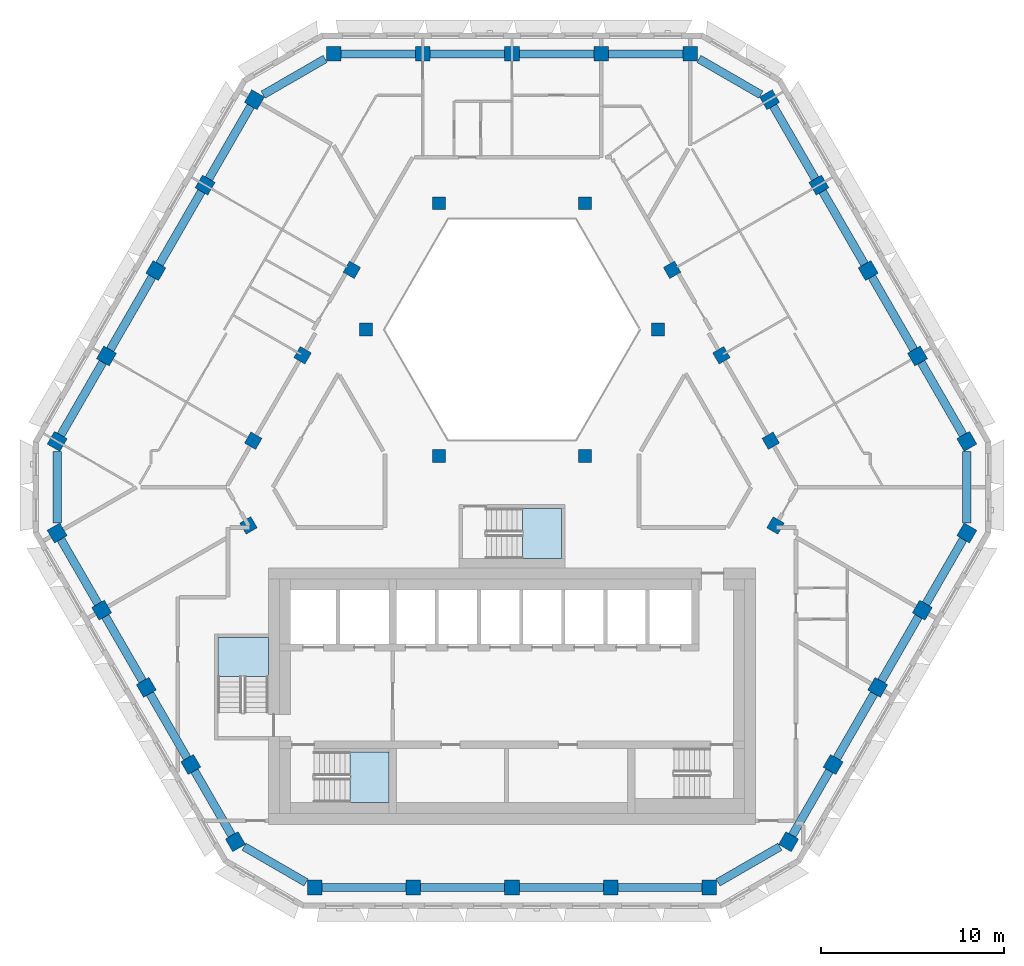
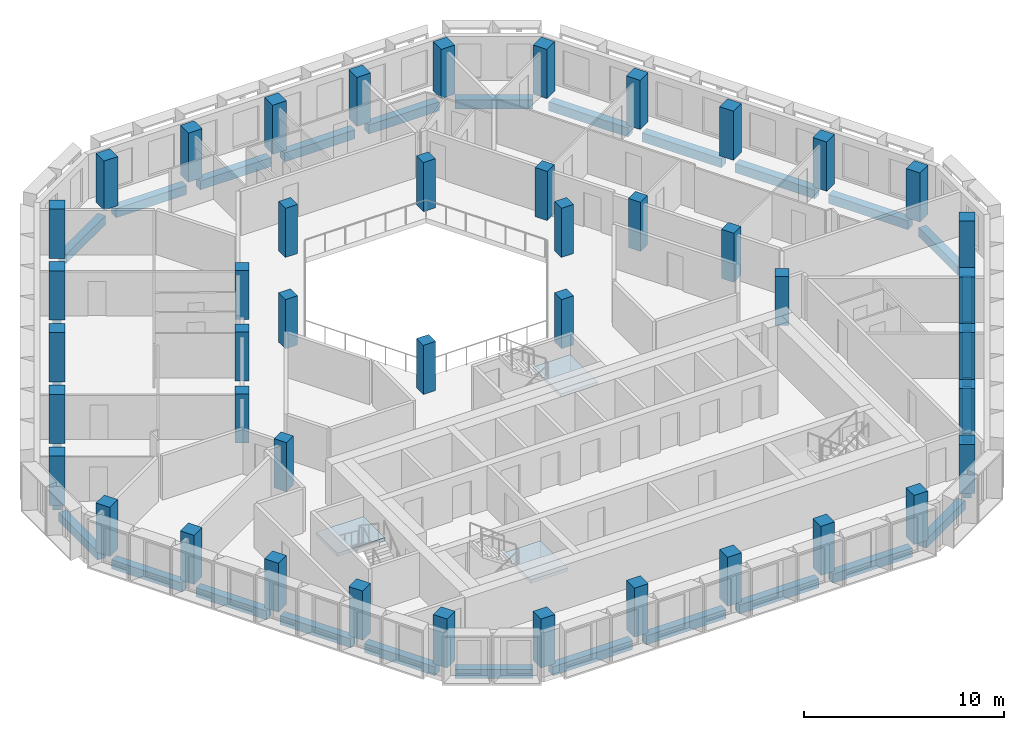
# One storey, part 1 of 17: 44 columns, 30 beams, 3 slabs, 3 elements without a shape of their own.
"""IFC4 building model written with IfcOpenShell, lengths in metres."""

from ifc_helpers import new_model, si_unit, direction, frame, origin, origin_2d, place, context, subcontext, project, spatial, polyline, rectangle, outline, extrude, material, layer, layer_set, material_profile, profile_set, type_object, element, aggregate, save


model = new_model("IFC4")

# Units and contexts
model_context = context("Model", 3, precision=1e-05, world=origin(), true_north=direction((0.0, 1.0)))
body_context = subcontext(model_context, "Body", "Model", "MODEL_VIEW")
ifc_project = project(units=[si_unit("LENGTHUNIT", "METRE"), si_unit("AREAUNIT", "SQUARE_METRE"), si_unit("VOLUMEUNIT", "CUBIC_METRE"), si_unit("PLANEANGLEUNIT", "RADIAN"), si_unit("MASSUNIT", "GRAM", prefix="KILO")], contexts=[model_context])

# Site, building, storey
site_placement = place(None, origin())
site = spatial("IfcSite", under=ifc_project, at=site_placement, CompositionType="ELEMENT")
building_placement = place(site_placement, origin())
building = spatial("IfcBuilding", under=site, at=building_placement, Name="Beryl Residences", CompositionType="ELEMENT")
storey_placement = place(building_placement, frame((0.0, 0.0, 178.199951171875)))
storey = spatial("IfcBuildingStorey", under=building, at=storey_placement, Name="L54", CompositionType="ELEMENT", Elevation=178.199951171875)

# Columns
ifc_material_1 = material(Name="Concrete C50/60", Category="concrete")
ifc_material_profile_1 = material_profile(ifc_material_1, rectangle(XDim=0.800048828125, YDim=0.800048828125, at=origin_2d()))
ifc_profile_set_1 = profile_set([ifc_material_profile_1], Name="Concrete C50/60")
column_type_1 = type_object("IfcColumnType", Name="C4 tube column 800 x 800 C50/60", PredefinedType="COLUMN", material=ifc_profile_set_1)
for number, where, z_axis, x_axis, name in (
    (1, (9.72802734375, 23.050048828125, 0.0), (0.0, 0.0, 1.0), (-1.0, 0.0, 0.0), "C4-N1 L54"),
    (2, (4.864013671875, 23.050048828125, 0.0), (0.0, 0.0, 1.0), (-1.0, 0.0, 0.0), "C4-N2 L54"),
    (3, (0.0, 23.050048828125, 0.0), (0.0, 0.0, 1.0), (-1.0, 0.0, 0.0), "C4-N3 L54"),
    (4, (-4.864013671875, 23.050048828125, 0.0), (0.0, 0.0, 1.0), (-1.0, 0.0, 0.0), "C4-N4 L54"),
    (5, (-9.72802734375, 23.050048828125, 0.0), (0.0, 0.0, 1.0), (-1.0, 0.0, 0.0), "C4-N5 L54"),
    (6, (-14.05810546875, 20.550048828125, 0.0), (0.0, 0.0, 1.0), (-0.5, -0.866025403784, 0.0), "C4-NW1 L54"),
    (7, (-16.75, 15.887939453125, 0.0), (0.0, 0.0, 1.0), (-0.5, -0.866025403784, 0.0), "C4-NW2 L54"),
    (8, (-19.44189453125, 11.22509765625, 0.0), (0.0, 0.0, 1.0), (-0.5, -0.866025403784, 0.0), "C4-NW3 L54"),
    (9, (-22.134033203125, 6.56201171875, 0.0), (0.0, 0.0, 1.0), (-0.5, -0.866025403784, 0.0), "C4-NW4 L54"),
    (10, (-24.825927734375, 1.89990234375, 0.0), (0.0, 0.0, 1.0), (-0.5, -0.866025403784, 0.0), "C4-NW5 L54"),
    (11, (-24.825927734375, -3.09912109375, 0.0), (0.0, 0.0, 1.0), (0.5, -0.866025403784, 0.0), "C4-SW1 L54"),
    (12, (-22.39404296875, -7.31201171875, 0.0), (0.0, 0.0, 1.0), (0.5, -0.866025403784, 0.0), "C4-SW2 L54"),
    (13, (-19.9619140625, -11.52392578125, 0.0), (0.0, 0.0, 1.0), (0.5, -0.866025403784, 0.0), "C4-SW3 L54"),
    (14, (-17.530029296875, -15.736083984375, 0.0), (0.0, 0.0, 1.0), (0.5, -0.866025403784, 0.0), "C4-SW4 L54"),
    (15, (-15.097900390625, -19.948974609375, 0.0), (0.0, 0.0, 1.0), (0.5, -0.866025403784, 0.0), "C4-SW5 L54"),
    (16, (-10.76708984375, -22.449951171875, 0.0), (0.0, 0.0, 1.0), (1.0, 0.0, 0.0), "C4-S1 L54"),
    (17, (-5.383056640625, -22.449951171875, 0.0), (0.0, 0.0, 1.0), (1.0, 0.0, 0.0), "C4-S2 L54"),
    (18, (0.0009765625, -22.449951171875, 0.0), (0.0, 0.0, 1.0), (1.0, 0.0, 0.0), "C4-S3 L54"),
    (19, (5.385009765625, -22.449951171875, 0.0), (0.0, 0.0, 1.0), (1.0, 0.0, 0.0), "C4-S4 L54"),
    (20, (10.76904296875, -22.449951171875, 0.0), (0.0, 0.0, 1.0), (1.0, 0.0, 0.0), "C4-S5 L54"),
    (21, (15.096923828125, -19.950927734375, 0.0), (0.0, 0.0, 1.0), (0.5, 0.866025403784, 0.0), "C4-SE1 L54"),
    (22, (17.529052734375, -15.738037109375, 0.0), (0.0, 0.0, 1.0), (0.5, 0.866025403784, 0.0), "C4-SE2 L54"),
    (23, (19.9609375, -11.52587890625, 0.0), (0.0, 0.0, 1.0), (0.5, 0.866025403784, 0.0), "C4-SE3 L54"),
    (24, (22.39306640625, -7.31396484375, 0.0), (0.0, 0.0, 1.0), (0.5, 0.866025403784, 0.0), "C4-SE4 L54"),
    (25, (24.824951171875, -3.10107421875, 0.0), (0.0, 0.0, 1.0), (0.5, 0.866025403784, 0.0), "C4-SE5 L54"),
    (26, (24.825927734375, 1.89990234375, 0.0), (0.0, 0.0, 1.0), (-0.5, 0.866025403784, 0.0), "C4-NE1 L54"),
    (27, (22.134033203125, 6.56201171875, 0.0), (0.0, 0.0, 1.0), (-0.5, 0.866025403784, 0.0), "C4-NE2 L54"),
    (28, (19.44189453125, 11.22509765625, 0.0), (0.0, 0.0, 1.0), (-0.5, 0.866025403784, 0.0), "C4-NE3 L54"),
    (29, (16.75, 15.887939453125, 0.0), (0.0, 0.0, 1.0), (-0.5, 0.866025403784, 0.0), "C4-NE4 L54"),
    (30, (14.05810546875, 20.550048828125, 0.0), (0.0, 0.0, 1.0), (-0.5, 0.866025403784, 0.0), "C4-NE5 L54"),
):
    element("IfcColumn", number, at=place(storey_placement, frame(where, z_axis=z_axis, x_axis=x_axis)), inside=storey, type_object=column_type_1, Name=name, PredefinedType="COLUMN", context=body_context, shape_type="SweptSolid", body=[
        extrude(rectangle(XDim=0.800048828125, YDim=0.800048828125, at=origin_2d()), origin(), (0.0, 0.0, 1.0), 3.0),
    ])
ifc_material_2 = material(Name="Concrete C50/60", Category="concrete")
ifc_material_profile_2 = material_profile(ifc_material_2, rectangle(XDim=0.699951171875, YDim=0.699951171875, at=origin_2d()))
ifc_profile_set_2 = profile_set([ifc_material_profile_2], Name="Concrete C50/60")
column_type_2 = type_object("IfcColumnType", Name="IC4 interior column 700 x 700 C50/60", PredefinedType="COLUMN", material=ifc_profile_set_2)
for number, where, z_axis, x_axis, name in (
    (31, (-14.383056640625, -2.68701171875, 0.0), (0.0, 0.0, 1.0), (0.5, -0.866025403784, 0.0), "IC4-M01 L54"),
    (32, (14.382080078125, -2.68896484375, 0.0), (0.0, 0.0, 1.0), (0.5, 0.866025403784, 0.0), "IC4-M02 L54"),
    (33, (14.123046875, 1.93701171875, 0.0), (0.0, 0.0, 1.0), (-0.5, 0.866025403784, 0.0), "IC4-M03 L54"),
    (34, (3.98388671875, 1.10009765625, 0.0), (0.0, 0.0, 1.0), (1.0, 0.0, 0.0), "IC4-A04 L54"),
    (35, (11.430908203125, 6.60009765625, 0.0), (0.0, 0.0, 1.0), (-0.5, 0.866025403784, 0.0), "IC4-M05 L54"),
    (36, (7.967041015625, 8.0, 0.0), (0.0, 0.0, 1.0), (1.0, 0.0, 0.0), "IC4-A06 L54"),
    (37, (8.739013671875, 11.262939453125, 0.0), (0.0, 0.0, 1.0), (-0.5, 0.866025403784, 0.0), "IC4-M07 L54"),
    (38, (3.98388671875, 14.89990234375, 0.0), (0.0, 0.0, 1.0), (1.0, 0.0, 0.0), "IC4-A08 L54"),
    (39, (-3.98388671875, 14.89990234375, 0.0), (0.0, 0.0, 1.0), (1.0, 0.0, 0.0), "IC4-A09 L54"),
    (40, (-8.739013671875, 11.262939453125, 0.0), (0.0, 0.0, 1.0), (-0.5, -0.866025403784, 0.0), "IC4-M10 L54"),
    (41, (-7.967041015625, 8.0, 0.0), (0.0, 0.0, 1.0), (1.0, 0.0, 0.0), "IC4-A11 L54"),
    (42, (-11.430908203125, 6.60009765625, 0.0), (0.0, 0.0, 1.0), (-0.5, -0.866025403784, 0.0), "IC4-M12 L54"),
    (43, (-3.98388671875, 1.10009765625, 0.0), (0.0, 0.0, 1.0), (1.0, 0.0, 0.0), "IC4-A13 L54"),
    (44, (-14.123046875, 1.93701171875, 0.0), (0.0, 0.0, 1.0), (-0.5, -0.866025403784, 0.0), "IC4-M14 L54"),
):
    element("IfcColumn", number, at=place(storey_placement, frame(where, z_axis=z_axis, x_axis=x_axis)), inside=storey, type_object=column_type_2, Name=name, PredefinedType="COLUMN", context=body_context, shape_type="SweptSolid", body=[
        extrude(rectangle(XDim=0.699951171875, YDim=0.699951171875, at=origin_2d()), origin(), (0.0, 0.0, 1.0), 3.0),
    ])

# Beams
ifc_material_3 = material(Name="Concrete C50/60", Category="concrete")
ifc_material_profile_3 = material_profile(ifc_material_3, rectangle(XDim=0.449951171875, YDim=0.550048828125, at=origin_2d()))
ifc_profile_set_3 = profile_set([ifc_material_profile_3], Name="Concrete C50/60")
beam_type = type_object("IfcBeamType", Name="SB4 spandrel beam 450 x 550 C50/60", PredefinedType="SPANDREL", material=ifc_profile_set_3)
beam_1_placement = place(storey_placement, frame((9.327880859375, 23.050048828125, -0.574951171875), z_axis=(-1.0, 0.0, 0.0), x_axis=(0.0, -1.0, 0.0)))
element("IfcBeam", 45, at=beam_1_placement, inside=storey, type_object=beam_type, Name="SB4 L54 N-0", PredefinedType="SPANDREL", context=body_context, shape_type="SweptSolid", body=[
    extrude(rectangle(XDim=0.449951171875, YDim=0.550048828125, at=origin_2d()), origin(), (0.0, 0.0, 1.0), 4.06396484375),
])
for number, where, z_axis, x_axis, name in (
    (46, (4.464111328125, 23.050048828125, -0.574951171875), (-1.0, 0.0, 0.0), (0.0, -1.0, 0.0), "SB4 L54 N-1"),
    (47, (-0.39990234375, 23.050048828125, -0.574951171875), (-1.0, 0.0, 0.0), (0.0, -1.0, 0.0), "SB4 L54 N-2"),
):
    element("IfcBeam", number, at=place(storey_placement, frame(where, z_axis=z_axis, x_axis=x_axis)), inside=storey, type_object=beam_type, Name=name, PredefinedType="SPANDREL", context=body_context, shape_type="SweptSolid", body=[
        extrude(rectangle(XDim=0.449951171875, YDim=0.550048828125, at=origin_2d()), origin(), (0.0, 0.0, 1.0), 4.064208984375),
    ])
beam_2_placement = place(storey_placement, frame((-5.263916015625, 23.050048828125, -0.574951171875), z_axis=(-1.0, 0.0, 0.0), x_axis=(0.0, -1.0, 0.0)))
element("IfcBeam", 48, at=beam_2_placement, inside=storey, type_object=beam_type, Name="SB4 L54 N-3", PredefinedType="SPANDREL", context=body_context, shape_type="SweptSolid", body=[
    extrude(rectangle(XDim=0.449951171875, YDim=0.550048828125, at=origin_2d()), origin(), (0.0, 0.0, 1.0), 4.06396484375),
])
beam_3_placement = place(storey_placement, frame((-10.200927734375, 22.777099609375, -0.574951171875), z_axis=(-0.865988935984, -0.500063158763, 0.0), x_axis=(0.500063158763, -0.865988935984, 0.0)))
element("IfcBeam", 49, at=beam_3_placement, inside=storey, type_object=beam_type, Name="SB4 L54 N-4", PredefinedType="SPANDREL", context=body_context, shape_type="SweptSolid", body=[
    extrude(rectangle(XDim=0.449951171875, YDim=0.550048828125, at=origin_2d()), origin(), (0.0, 0.0, 1.0), 3.90771484375),
])
beam_4_placement = place(storey_placement, frame((-14.258056640625, 20.2041015625, -0.574951171875), z_axis=(-0.499965247104, -0.866045467449, 0.0), x_axis=(0.866045467449, -0.499965247104, 0.0)))
element("IfcBeam", 50, at=beam_4_placement, inside=storey, type_object=beam_type, Name="SB4 L54 NW-0", PredefinedType="SPANDREL", context=body_context, shape_type="SweptSolid", body=[
    extrude(rectangle(XDim=0.449951171875, YDim=0.550048828125, at=origin_2d()), origin(), (0.0, 0.0, 1.0), 4.584228515625),
])
for number, where, z_axis, x_axis, name in (
    (51, (-16.949951171875, 15.5419921875, -0.574951171875), (-0.499896077001, -0.866085395443, 0.0), (0.866085395443, -0.499896077001, 0.0), "SB4 L54 NW-1"),
    (52, (-19.64208984375, 10.87890625, -0.574951171875), (-0.499896077001, -0.866085395443, 0.0), (0.866085395443, -0.499896077001, 0.0), "SB4 L54 NW-2"),
):
    element("IfcBeam", number, at=place(storey_placement, frame(where, z_axis=z_axis, x_axis=x_axis)), inside=storey, type_object=beam_type, Name=name, PredefinedType="SPANDREL", context=body_context, shape_type="SweptSolid", body=[
        extrude(rectangle(XDim=0.449951171875, YDim=0.550048828125, at=origin_2d()), origin(), (0.0, 0.0, 1.0), 4.5849609375),
    ])
beam_5_placement = place(storey_placement, frame((-22.333984375, 6.216064453125, -0.574951171875), z_axis=(-0.49998830735, -0.866032154434, 0.0), x_axis=(0.866032154434, -0.49998830735, 0.0)))
element("IfcBeam", 53, at=beam_5_placement, inside=storey, type_object=beam_type, Name="SB4 L54 NW-3", PredefinedType="SPANDREL", context=body_context, shape_type="SweptSolid", body=[
    extrude(rectangle(XDim=0.449951171875, YDim=0.550048828125, at=origin_2d()), origin(), (0.0, 0.0, 1.0), 4.583984375),
])
beam_6_placement = place(storey_placement, frame((-24.825927734375, 1.35400390625, -0.574951171875), z_axis=(0.0, -1.0, 0.0), x_axis=(1.0, 0.0, 0.0)))
element("IfcBeam", 54, at=beam_6_placement, inside=storey, type_object=beam_type, Name="SB4 L54 NW-4", PredefinedType="SPANDREL", context=body_context, shape_type="SweptSolid", body=[
    extrude(rectangle(XDim=0.449951171875, YDim=0.550048828125, at=origin_2d()), origin(), (0.0, 0.0, 1.0), 3.906982421875),
])
beam_7_placement = place(storey_placement, frame((-24.6259765625, -3.445068359375, -0.574951171875), z_axis=(0.499840293234, -0.866117590896, 0.0), x_axis=(0.866117590896, 0.499840293234, 0.0)))
element("IfcBeam", 55, at=beam_7_placement, inside=storey, type_object=beam_type, Name="SB4 L54 SW-0", PredefinedType="SPANDREL", context=body_context, shape_type="SweptSolid", body=[
    extrude(rectangle(XDim=0.449951171875, YDim=0.550048828125, at=origin_2d()), origin(), (0.0, 0.0, 1.0), 4.065185546875),
])
beam_8_placement = place(storey_placement, frame((-22.194091796875, -7.657958984375, -0.574951171875), z_axis=(0.499944307952, -0.866057555216, 0.0), x_axis=(0.866057555216, 0.499944307952, 0.0)))
element("IfcBeam", 56, at=beam_8_placement, inside=storey, type_object=beam_type, Name="SB4 L54 SW-1", PredefinedType="SPANDREL", context=body_context, shape_type="SweptSolid", body=[
    extrude(rectangle(XDim=0.449951171875, YDim=0.550048828125, at=origin_2d()), origin(), (0.0, 0.0, 1.0), 4.064453125),
])
beam_9_placement = place(storey_placement, frame((-19.761962890625, -11.8701171875, -0.574951171875), z_axis=(0.499970317269, -0.866042540439, 0.0), x_axis=(0.866042540439, 0.499970317269, 0.0)))
element("IfcBeam", 57, at=beam_9_placement, inside=storey, type_object=beam_type, Name="SB4 L54 SW-2", PredefinedType="SPANDREL", context=body_context, shape_type="SweptSolid", body=[
    extrude(rectangle(XDim=0.449951171875, YDim=0.550048828125, at=origin_2d()), origin(), (0.0, 0.0, 1.0), 4.064208984375),
])
beam_10_placement = place(storey_placement, frame((-17.330078125, -16.08203125, -0.574951171875), z_axis=(0.499840293234, -0.866117590896, 0.0), x_axis=(0.866117590896, 0.499840293234, 0.0)))
element("IfcBeam", 58, at=beam_10_placement, inside=storey, type_object=beam_type, Name="SB4 L54 SW-3", PredefinedType="SPANDREL", context=body_context, shape_type="SweptSolid", body=[
    extrude(rectangle(XDim=0.449951171875, YDim=0.550048828125, at=origin_2d()), origin(), (0.0, 0.0, 1.0), 4.065185546875),
])
beam_11_placement = place(storey_placement, frame((-14.625, -20.221923828125, -0.574951171875), z_axis=(0.865943218558, -0.500142321977, 0.0), x_axis=(0.500142321977, 0.865943218558, 0.0)))
element("IfcBeam", 59, at=beam_11_placement, inside=storey, type_object=beam_type, Name="SB4 L54 SW-4", PredefinedType="SPANDREL", context=body_context, shape_type="SweptSolid", body=[
    extrude(rectangle(XDim=0.449951171875, YDim=0.550048828125, at=origin_2d()), origin(), (0.0, 0.0, 1.0), 3.908935546875),
])
for number, where, z_axis, x_axis, name in (
    (60, (-10.366943359375, -22.449951171875, -0.574951171875), (1.0, 0.0, 0.0), (0.0, 1.0, 0.0), "SB4 L54 S-0"),
    (61, (-4.98291015625, -22.449951171875, -0.574951171875), (1.0, 0.0, 0.0), (0.0, 1.0, 0.0), "SB4 L54 S-1"),
):
    element("IfcBeam", number, at=place(storey_placement, frame(where, z_axis=z_axis, x_axis=x_axis)), inside=storey, type_object=beam_type, Name=name, PredefinedType="SPANDREL", context=body_context, shape_type="SweptSolid", body=[
        extrude(rectangle(XDim=0.449951171875, YDim=0.550048828125, at=origin_2d()), origin(), (0.0, 0.0, 1.0), 4.583984375),
    ])
beam_12_placement = place(storey_placement, frame((0.40087890625, -22.449951171875, -0.574951171875), z_axis=(1.0, 0.0, 0.0), x_axis=(0.0, 1.0, 0.0)))
element("IfcBeam", 62, at=beam_12_placement, inside=storey, type_object=beam_type, Name="SB4 L54 S-2", PredefinedType="SPANDREL", context=body_context, shape_type="SweptSolid", body=[
    extrude(rectangle(XDim=0.449951171875, YDim=0.550048828125, at=origin_2d()), origin(), (0.0, 0.0, 1.0), 4.584228515625),
])
beam_13_placement = place(storey_placement, frame((5.784912109375, -22.449951171875, -0.574951171875), z_axis=(1.0, 0.0, 0.0), x_axis=(0.0, 1.0, 0.0)))
element("IfcBeam", 63, at=beam_13_placement, inside=storey, type_object=beam_type, Name="SB4 L54 S-3", PredefinedType="SPANDREL", context=body_context, shape_type="SweptSolid", body=[
    extrude(rectangle(XDim=0.449951171875, YDim=0.550048828125, at=origin_2d()), origin(), (0.0, 0.0, 1.0), 4.583984375),
])
beam_14_placement = place(storey_placement, frame((11.241943359375, -22.177001953125, -0.574951171875), z_axis=(0.865999234303, 0.500045324131, 0.0), x_axis=(-0.500045324131, 0.865999234303, 0.0)))
element("IfcBeam", 64, at=beam_14_placement, inside=storey, type_object=beam_type, Name="SB4 L54 S-4", PredefinedType="SPANDREL", context=body_context, shape_type="SweptSolid", body=[
    extrude(rectangle(XDim=0.449951171875, YDim=0.550048828125, at=origin_2d()), origin(), (0.0, 0.0, 1.0), 3.905517578125),
])
beam_15_placement = place(storey_placement, frame((15.297119140625, -19.60498046875, -0.574951171875), z_axis=(0.499840293234, 0.866117590896, 0.0), x_axis=(-0.866117590896, 0.499840293234, 0.0)))
element("IfcBeam", 65, at=beam_15_placement, inside=storey, type_object=beam_type, Name="SB4 L54 SE-0", PredefinedType="SPANDREL", context=body_context, shape_type="SweptSolid", body=[
    extrude(rectangle(XDim=0.449951171875, YDim=0.550048828125, at=origin_2d()), origin(), (0.0, 0.0, 1.0), 4.065185546875),
])
for number, where, z_axis, x_axis, name in (
    (66, (17.72900390625, -15.39208984375, -0.574951171875), (0.499944307952, 0.866057555216, 0.0), (-0.866057555216, 0.499944307952, 0.0), "SB4 L54 SE-1"),
    (67, (20.160888671875, -11.179931640625, -0.574951171875), (0.499989360119, 0.866031546636, 0.0), (-0.866031546636, 0.499989360119, 0.0), "SB4 L54 SE-2"),
):
    element("IfcBeam", number, at=place(storey_placement, frame(where, z_axis=z_axis, x_axis=x_axis)), inside=storey, type_object=beam_type, Name=name, PredefinedType="SPANDREL", context=body_context, shape_type="SweptSolid", body=[
        extrude(rectangle(XDim=0.449951171875, YDim=0.550048828125, at=origin_2d()), origin(), (0.0, 0.0, 1.0), 4.064453125),
    ])
beam_16_placement = place(storey_placement, frame((22.593017578125, -6.968017578125, -0.574951171875), z_axis=(0.499840293234, 0.866117590896, 0.0), x_axis=(-0.866117590896, 0.499840293234, 0.0)))
element("IfcBeam", 68, at=beam_16_placement, inside=storey, type_object=beam_type, Name="SB4 L54 SE-3", PredefinedType="SPANDREL", context=body_context, shape_type="SweptSolid", body=[
    extrude(rectangle(XDim=0.449951171875, YDim=0.550048828125, at=origin_2d()), origin(), (0.0, 0.0, 1.0), 4.065185546875),
])
beam_17_placement = place(storey_placement, frame((24.824951171875, -2.554931640625, -0.574951171875), z_axis=(0.000249828235, 0.999999968793, 0.0), x_axis=(-0.999999968793, 0.000249828235, 0.0)))
element("IfcBeam", 69, at=beam_17_placement, inside=storey, type_object=beam_type, Name="SB4 L54 SE-4", PredefinedType="SPANDREL", context=body_context, shape_type="SweptSolid", body=[
    extrude(rectangle(XDim=0.449951171875, YDim=0.550048828125, at=origin_2d()), origin(), (0.0, 0.0, 1.0), 3.908935546875),
])
beam_18_placement = place(storey_placement, frame((24.6259765625, 2.24609375, -0.574951171875), z_axis=(-0.49998830735, 0.866032154434, 0.0), x_axis=(-0.866032154434, -0.49998830735, 0.0)))
element("IfcBeam", 70, at=beam_18_placement, inside=storey, type_object=beam_type, Name="SB4 L54 NE-0", PredefinedType="SPANDREL", context=body_context, shape_type="SweptSolid", body=[
    extrude(rectangle(XDim=0.449951171875, YDim=0.550048828125, at=origin_2d()), origin(), (0.0, 0.0, 1.0), 4.583984375),
])
for number, where, z_axis, x_axis, name in (
    (71, (21.93408203125, 6.907958984375, -0.574951171875), (-0.499896077001, 0.866085395443, 0.0), (-0.866085395443, -0.499896077001, 0.0), "SB4 L54 NE-1"),
    (72, (19.241943359375, 11.571044921875, -0.574951171875), (-0.499896077001, 0.866085395443, 0.0), (-0.866085395443, -0.499896077001, 0.0), "SB4 L54 NE-2"),
):
    element("IfcBeam", number, at=place(storey_placement, frame(where, z_axis=z_axis, x_axis=x_axis)), inside=storey, type_object=beam_type, Name=name, PredefinedType="SPANDREL", context=body_context, shape_type="SweptSolid", body=[
        extrude(rectangle(XDim=0.449951171875, YDim=0.550048828125, at=origin_2d()), origin(), (0.0, 0.0, 1.0), 4.5849609375),
    ])
beam_19_placement = place(storey_placement, frame((16.550048828125, 16.23388671875, -0.574951171875), z_axis=(-0.499965247104, 0.866045467449, 0.0), x_axis=(-0.866045467449, -0.499965247104, 0.0)))
element("IfcBeam", 73, at=beam_19_placement, inside=storey, type_object=beam_type, Name="SB4 L54 NE-3", PredefinedType="SPANDREL", context=body_context, shape_type="SweptSolid", body=[
    extrude(rectangle(XDim=0.449951171875, YDim=0.550048828125, at=origin_2d()), origin(), (0.0, 0.0, 1.0), 4.584228515625),
])
beam_20_placement = place(storey_placement, frame((13.5849609375, 20.822998046875, -0.574951171875), z_axis=(-0.865988935984, 0.500063158763, 0.0), x_axis=(-0.500063158763, -0.865988935984, 0.0)))
element("IfcBeam", 74, at=beam_20_placement, inside=storey, type_object=beam_type, Name="SB4 L54 NE-4", PredefinedType="SPANDREL", context=body_context, shape_type="SweptSolid", body=[
    extrude(rectangle(XDim=0.449951171875, YDim=0.550048828125, at=origin_2d()), origin(), (0.0, 0.0, 1.0), 3.90771484375),
])

# Stair, slab
ifc_material_4 = material(Name="Concrete C40/50", Category="concrete")
stair_type = type_object("IfcStairType", Name="ST1 protected exit stair, half-turn, 1300 mm flights", PredefinedType="HALF_TURN_STAIR", material=ifc_material_4)
stair_1_placement = place(storey_placement, origin())
stair_1 = element("IfcStair", 75, at=stair_1_placement, inside=storey, type_object=stair_type, Name="L54 PROTECTED EXIT STAIR ST-1", PredefinedType="HALF_TURN_STAIR")
ifc_material_5 = material(Name="Concrete C40/50", Category="concrete")
ifc_layer = layer(ifc_material_5, 0.199951171875)
ifc_layer_set = layer_set([ifc_layer], Name="SLD1 stair landing 200 mm")
slab_type = type_object("IfcSlabType", Name="SLD1 stair landing 200 mm", PredefinedType="LANDING", material=ifc_layer_set)
slab_1_placement = place(storey_placement, frame((0.0, 0.0, 1.300048828125)))
slab_1 = element("IfcSlab", 76, at=slab_1_placement, type_object=slab_type, Name="ST-1 landing 1", PredefinedType="LANDING", context=body_context, shape_type="SweptSolid", body=[
    extrude(outline(polyline([(-8.840087890625, -17.800048828125), (-6.699951171875, -17.800048828125), (-6.699951171875, -15.050048828125), (-8.840087890625, -15.050048828125), (-8.840087890625, -17.800048828125)])), origin(), (0.0, 0.0, 1.0), 0.199951171875),
])
aggregate(stair_1, [slab_1])

stair_2_placement = place(storey_placement, origin())
stair_2 = element("IfcStair", 77, at=stair_2_placement, inside=storey, type_object=stair_type, Name="L54 PROTECTED EXIT STAIR ST-2", PredefinedType="HALF_TURN_STAIR")
slab_2_placement = place(storey_placement, frame((0.0, 0.0, 1.300048828125)))
slab_2 = element("IfcSlab", 78, at=slab_2_placement, type_object=slab_type, Name="ST-2 landing 1", PredefinedType="LANDING", context=body_context, shape_type="SweptSolid", body=[
    extrude(outline(polyline([(-13.300048828125, -10.93994140625), (-13.300048828125, -8.800048828125), (-16.050048828125, -8.800048828125), (-16.050048828125, -10.93994140625), (-13.300048828125, -10.93994140625)])), origin(), (0.0, 0.0, 1.0), 0.199951171875),
])
aggregate(stair_2, [slab_2])

stair_3_placement = place(storey_placement, origin())
stair_3 = element("IfcStair", 79, at=stair_3_placement, inside=storey, type_object=stair_type, Name="L54 PROTECTED EXIT STAIR ST-4", PredefinedType="HALF_TURN_STAIR")
slab_3_placement = place(storey_placement, frame((0.0, 0.0, 1.300048828125)))
slab_3 = element("IfcSlab", 80, at=slab_3_placement, type_object=slab_type, Name="ST-4 landing 1", PredefinedType="LANDING", context=body_context, shape_type="SweptSolid", body=[
    extrude(outline(polyline([(0.56005859375, -4.5), (2.699951171875, -4.5), (2.699951171875, -1.75), (0.56005859375, -1.75), (0.56005859375, -4.5)])), origin(), (0.0, 0.0, 1.0), 0.199951171875),
])
aggregate(stair_3, [slab_3])

save(model, "model.ifc")
